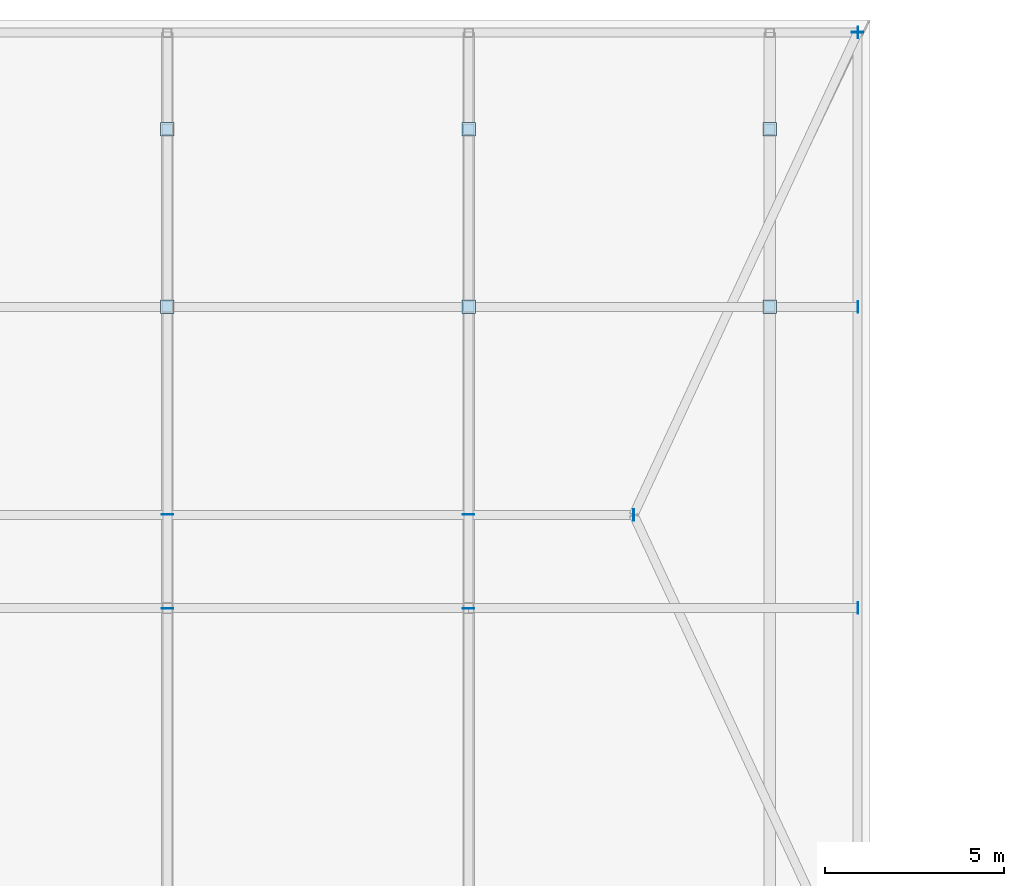
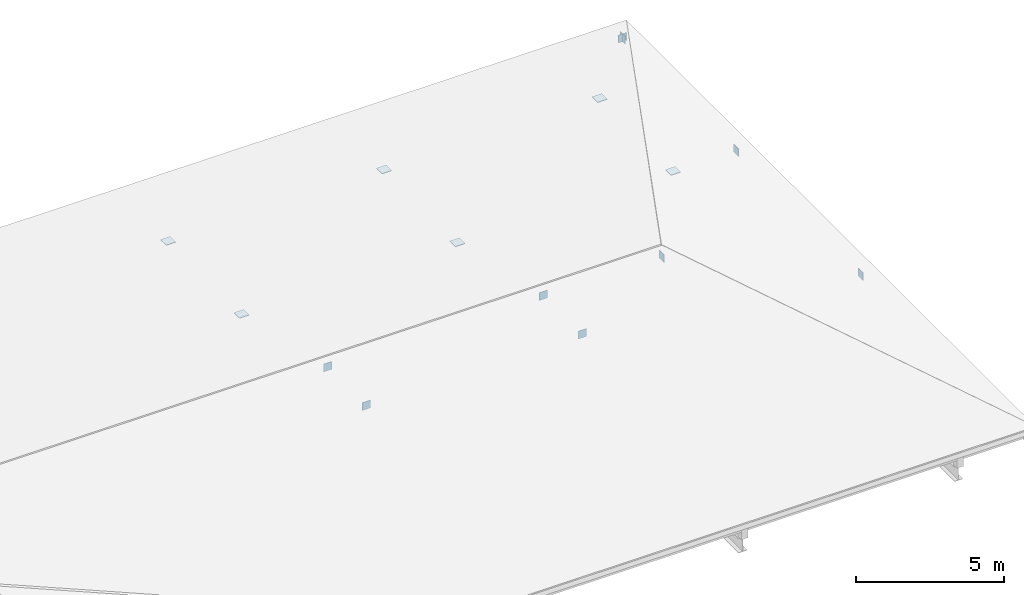
# One storey, part 12 of 13: 15 plates.
"""IFC4 building model written with IfcOpenShell, lengths in metres."""

from ifc_helpers import new_model, si_unit, direction, frame, origin, origin_2d, place, context, subcontext, project, spatial, rectangle, extrude, material, layer, layer_set, type_object, element, save


model = new_model("IFC4")

# Units and contexts
model_context = context("Model", 3, precision=1e-05, world=origin(), true_north=direction((0.0, 1.0)))
body_context = subcontext(model_context, "Body", "Model", "MODEL_VIEW")
ifc_project = project(units=[si_unit("LENGTHUNIT", "METRE"), si_unit("AREAUNIT", "SQUARE_METRE"), si_unit("VOLUMEUNIT", "CUBIC_METRE"), si_unit("PLANEANGLEUNIT", "RADIAN"), si_unit("MASSUNIT", "GRAM", prefix="KILO")], contexts=[model_context])

# Site, building, storey
site_placement = place(None, origin())
site = spatial("IfcSite", under=ifc_project, at=site_placement, CompositionType="ELEMENT")
building_placement = place(site_placement, origin())
building = spatial("IfcBuilding", under=site, at=building_placement, Name="Cumbredor Promenade Congress Hotel", CompositionType="ELEMENT")
storey_placement = place(building_placement, frame((0.0, 0.0, 38.639892578125)))
storey = spatial("IfcBuildingStorey", under=building, at=storey_placement, Name="RF", CompositionType="ELEMENT", Elevation=38.639892578125)

# Plates
ifc_material = material(Name="Steel ASTM A572 Grade 50", Category="steel")
ifc_layer_1 = layer(ifc_material, 0.02001953125, Name="Steel ASTM A572 Grade 50", Category="steel")
ifc_layer_set_1 = layer_set([ifc_layer_1], Name="Steel ASTM A572 Grade 50")
plate_type_1 = type_object("IfcPlateType", Name="Hollow Section End Cap Plate CP-04", PredefinedType="USERDEFINED", material=ifc_layer_set_1)
for number, where, z_axis, x_axis, name in (
    (1, (33.60009765625, 109.199951171875, 0.218017578125), (0.0, 0.0, 1.0), (1.0, 0.0, 0.0), "Hotel Roof Bearing Post X33N End Cap Plate"),
    (2, (33.60009765625, 114.14990234375, 0.218017578125), (0.0, 0.0, 1.0), (1.0, 0.0, 0.0), "Hotel Roof Bearing Post X33N2 End Cap Plate"),
    (3, (42.0, 109.199951171875, 0.218017578125), (0.0, 0.0, 1.0), (1.0, 0.0, 0.0), "Hotel Roof Bearing Post X42N End Cap Plate"),
    (4, (42.0, 114.14990234375, 0.218017578125), (0.0, 0.0, 1.0), (1.0, 0.0, 0.0), "Hotel Roof Bearing Post X42N2 End Cap Plate"),
    (5, (50.39990234375, 109.199951171875, 0.218017578125), (0.0, 0.0, 1.0), (1.0, 0.0, 0.0), "Hotel Roof Bearing Post X50N End Cap Plate"),
    (6, (50.39990234375, 114.14990234375, 0.218017578125), (0.0, 0.0, 1.0), (1.0, 0.0, 0.0), "Hotel Roof Bearing Post X50N2 End Cap Plate"),
):
    element("IfcPlate", number, at=place(storey_placement, frame(where, z_axis=z_axis, x_axis=x_axis)), inside=storey, type_object=plate_type_1, Name=name, ObjectType="CAP PLATE", PredefinedType="USERDEFINED", context=body_context, shape_type="SweptSolid", body=[
        extrude(rectangle(XDim=0.3798828125, YDim=0.3798828125, at=origin_2d()), origin(), (0.0, 0.0, 1.0), 0.02001953125),
    ])
ifc_layer_2 = layer(ifc_material, 0.02001953125, Name="Steel ASTM A572 Grade 50", Category="steel")
ifc_layer_set_2 = layer_set([ifc_layer_2], Name="Steel ASTM A572 Grade 50")
plate_type_2 = type_object("IfcPlateType", Name="Hollow Section End Cap Plate CP-05", PredefinedType="USERDEFINED", material=ifc_layer_set_2)
for number, where, z_axis, x_axis, name in (
    (7, (52.85791015625, 100.800048828125, 0.06005859375), (0.0, 0.0, 1.0), (1.0, 0.0, 0.0), "Hotel Broad-Eave Longitudinal Tie M-E End Cap Plate"),
    (8, (52.85791015625, 109.199951171875, 0.06005859375), (0.0, 0.0, 1.0), (1.0, 0.0, 0.0), "Hotel Broad-Eave Longitudinal Tie N-E End Cap Plate"),
    (9, (46.60791015625, 103.39990234375, 1.41015625), (0.0, 0.0, 1.0), (1.0, 0.0, 0.0), "Hotel Tropical Roof Main Ridge Beam End Cap Plate"),
    (10, (33.60009765625, 100.7919921875, 1.41015625), (0.0, 0.0, 1.0), (0.0, 1.0, 0.0), "Hotel Roof Ridge Cross Strut 03 Start Cap Plate"),
    (11, (33.60009765625, 103.407958984375, 1.41015625), (0.0, 0.0, 1.0), (0.0, 1.0, 0.0), "Hotel Roof Ridge Cross Strut 03 End Cap Plate"),
    (12, (42.0, 100.7919921875, 1.41015625), (0.0, 0.0, 1.0), (0.0, 1.0, 0.0), "Hotel Roof Ridge Cross Strut 04 Start Cap Plate"),
    (13, (42.0, 103.407958984375, 1.41015625), (0.0, 0.0, 1.0), (0.0, 1.0, 0.0), "Hotel Roof Ridge Cross Strut 04 End Cap Plate"),
    (14, (52.85791015625, 116.85009765625, 0.06005859375), (0.0, 0.0, 1.0), (1.0, 0.0, 0.0), "Hotel Broad-Eave Perimeter Fascia Beam N End Cap Plate"),
    (15, (52.85009765625, 116.85791015625, 0.06005859375), (0.0, 0.0, 1.0), (0.0, 1.0, 0.0), "Hotel Broad-Eave Perimeter Fascia Beam E End Cap Plate"),
):
    element("IfcPlate", number, at=place(storey_placement, frame(where, z_axis=z_axis, x_axis=x_axis)), inside=storey, type_object=plate_type_2, Name=name, ObjectType="CAP PLATE", PredefinedType="USERDEFINED", context=body_context, shape_type="SweptSolid", body=[
        extrude(rectangle(XDim=0.02001953125, YDim=0.320068359375, at=origin_2d()), origin(), (0.0, 0.0, 1.0), 0.320068359375),
    ])

save(model, "model.ifc")
